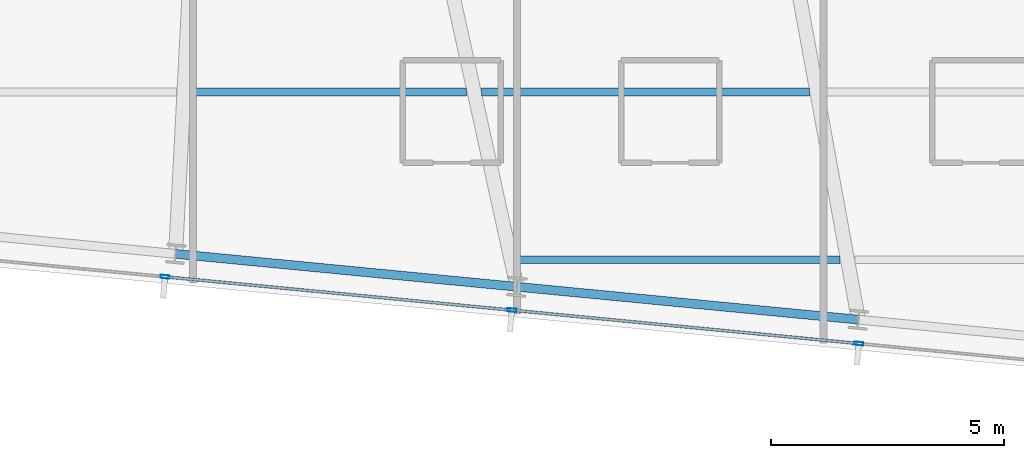
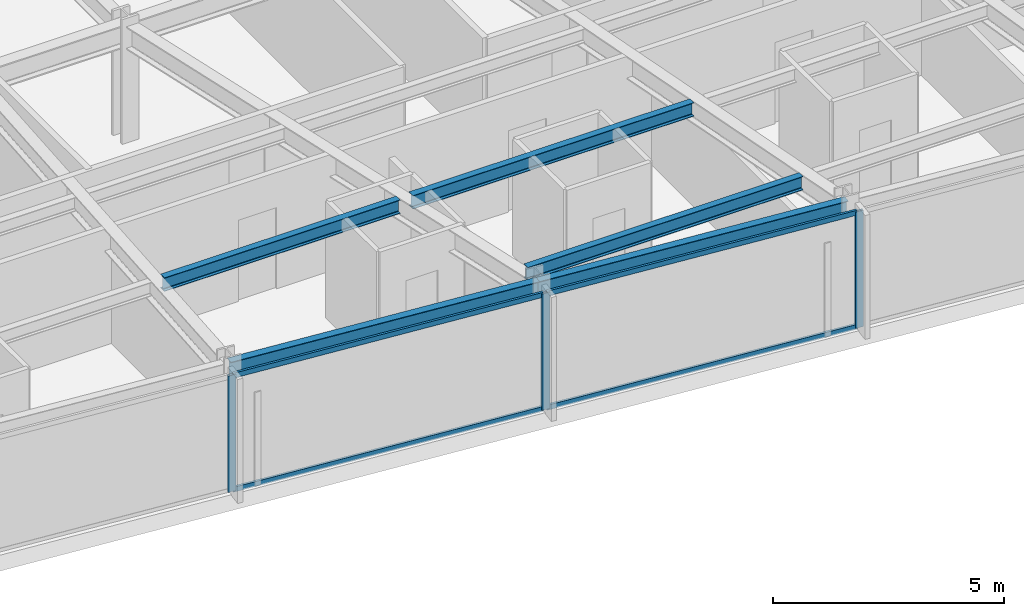
# One storey, part 6 of 37: 7 members, 5 beams, 1 element without a shape of its own.
"""IFC4 building model written with IfcOpenShell, lengths in metres."""

from ifc_helpers import new_model, si_unit, direction, frame, origin, origin_2d, place, context, subcontext, project, spatial, hollow_rectangle, i_section, extrude, material, material_profile, profile_set, type_object, element, aggregate, save


model = new_model("IFC4")

# Units and contexts
model_context = context("Model", 3, precision=1e-05, world=origin(), true_north=direction((0.0, 1.0)))
body_context = subcontext(model_context, "Body", "Model", "MODEL_VIEW")
ifc_project = project(units=[si_unit("LENGTHUNIT", "METRE"), si_unit("AREAUNIT", "SQUARE_METRE"), si_unit("VOLUMEUNIT", "CUBIC_METRE"), si_unit("PLANEANGLEUNIT", "RADIAN"), si_unit("MASSUNIT", "GRAM", prefix="KILO")], contexts=[model_context])

# Site, building, storey
site_placement = place(None, origin())
site = spatial("IfcSite", under=ifc_project, at=site_placement, CompositionType="ELEMENT")
building_placement = place(site_placement, origin())
building = spatial("IfcBuilding", under=site, at=building_placement, Name="Yelkora Congress Tower", CompositionType="ELEMENT")
storey_placement = place(building_placement, frame((0.0, 0.0, 149.0)))
storey = spatial("IfcBuildingStorey", under=building, at=storey_placement, Name="L40", CompositionType="ELEMENT", Elevation=149.0)

# Beams
ifc_material_1 = material(Name="Steel S355J2", Category="steel")
ifc_material_profile_1 = material_profile(ifc_material_1, i_section(OverallWidth=0.169921875, OverallDepth=0.360107421875, WebThickness=0.008056640625, FlangeThickness=0.0126953125, FilletRadius=0.01806640625, at=origin_2d()), Name="IPE 360")
ifc_profile_set_1 = profile_set([ifc_material_profile_1], Name="Steel S355J2")
beam_type_1 = type_object("IfcBeamType", Name="BM-JOIST-IPE360", PredefinedType="JOIST", material=ifc_profile_set_1)
beam_1_placement = place(storey_placement, frame((25.921630859375, 12.8212890625, 2.89990234375), z_axis=(1.0, 0.0, 0.0), x_axis=(0.0, 1.0, 0.0)))
element("IfcBeam", 1, at=beam_1_placement, inside=storey, type_object=beam_type_1, Name="L40 Composite Floor Joist 1", PredefinedType="JOIST", context=body_context, shape_type="SweptSolid", body=[
    extrude(i_section(OverallWidth=0.169921875, OverallDepth=0.360107421875, WebThickness=0.008056640625, FlangeThickness=0.0126953125, FilletRadius=0.01806640625, at=origin_2d()), origin(), (0.0, 0.0, 1.0), 6.896484375),
])
beam_2_placement = place(storey_placement, frame((18.905517578125, 16.421142578125, 2.89990234375), z_axis=(1.0, 0.0, 0.0), x_axis=(0.0, 1.0, 0.0)))
element("IfcBeam", 2, at=beam_2_placement, inside=storey, type_object=beam_type_1, Name="L40 Composite Floor Joist 7", PredefinedType="JOIST", context=body_context, shape_type="SweptSolid", body=[
    extrude(i_section(OverallWidth=0.169921875, OverallDepth=0.360107421875, WebThickness=0.008056640625, FlangeThickness=0.0126953125, FilletRadius=0.01806640625, at=origin_2d()), origin(), (0.0, 0.0, 1.0), 5.904541015625),
])
beam_3_placement = place(storey_placement, frame((25.130126953125, 16.421142578125, 2.89990234375), z_axis=(1.0, 0.0, 0.0), x_axis=(0.0, 1.0, 0.0)))
element("IfcBeam", 3, at=beam_3_placement, inside=storey, type_object=beam_type_1, Name="L40 Composite Floor Joist 8", PredefinedType="JOIST", context=body_context, shape_type="SweptSolid", body=[
    extrude(i_section(OverallWidth=0.169921875, OverallDepth=0.360107421875, WebThickness=0.008056640625, FlangeThickness=0.0126953125, FilletRadius=0.01806640625, at=origin_2d()), origin(), (0.0, 0.0, 1.0), 7.03125),
])
ifc_material_profile_2 = material_profile(ifc_material_1, i_section(OverallWidth=0.18994140625, OverallDepth=0.449951171875, WebThickness=0.009521484375, FlangeThickness=0.0146484375, FilletRadius=0.02099609375, at=origin_2d()), Name="IPE 450")
ifc_profile_set_2 = profile_set([ifc_material_profile_2], Name="Steel S355J2")
beam_type_2 = type_object("IfcBeamType", Name="BM-SPAN-IPE450", PredefinedType="SPANDREL", material=ifc_profile_set_2)
beam_4_placement = place(storey_placement, frame((18.56591796875, 12.947021484375, 2.85498046875), z_axis=(0.99539363353, -0.09587238564, 0.0), x_axis=(0.09587238564, 0.99539363353, 0.0)))
element("IfcBeam", 4, at=beam_4_placement, inside=storey, type_object=beam_type_2, Name="L40 Perimeter Beam 4", PredefinedType="SPANDREL", context=body_context, shape_type="SweptSolid", body=[
    extrude(i_section(OverallWidth=0.18994140625, OverallDepth=0.449951171875, WebThickness=0.009521484375, FlangeThickness=0.0146484375, FilletRadius=0.02099609375, at=origin_2d()), origin(), (0.0, 0.0, 1.0), 7.35693359375),
])
beam_5_placement = place(storey_placement, frame((25.888916015625, 12.24169921875, 2.85498046875), z_axis=(0.995397409467, -0.095833173935, 0.0), x_axis=(0.095833173935, 0.995397409467, 0.0)))
element("IfcBeam", 5, at=beam_5_placement, inside=storey, type_object=beam_type_2, Name="L40 Perimeter Beam 5", PredefinedType="SPANDREL", context=body_context, shape_type="SweptSolid", body=[
    extrude(i_section(OverallWidth=0.18994140625, OverallDepth=0.449951171875, WebThickness=0.009521484375, FlangeThickness=0.0146484375, FilletRadius=0.02099609375, at=origin_2d()), origin(), (0.0, 0.0, 1.0), 7.357421875),
])

# Curtain wall, members
ifc_material_2 = material(Name="Anodised aluminium and insulated glass", Category="aluminium")
curtain_wall_type = type_object("IfcCurtainWallType", Name="CW-SYS-B3", PredefinedType="NOTDEFINED", material=ifc_material_2)
curtain_wall_placement = place(storey_placement, origin())
curtain_wall = element("IfcCurtainWall", 6, at=curtain_wall_placement, inside=storey, type_object=curtain_wall_type, Name="L40 Unitised Curtain Wall 20", PredefinedType="NOTDEFINED")
ifc_material_3 = material(Name="Anodised aluminium 6063-T6", Category="aluminium")
ifc_material_profile_3 = material_profile(ifc_material_3, hollow_rectangle(XDim=0.070068359375, YDim=0.18994140625, WallThickness=0.00390625, at=origin_2d()), Name="ALU 70x190x4")
ifc_profile_set_3 = profile_set([ifc_material_profile_3], Name="Anodised aluminium 6063-T6")
member_type_1 = type_object("IfcMemberType", Name="MEM-ML-B3", PredefinedType="MULLION", material=ifc_profile_set_3)
member_1_placement = place(storey_placement, frame((33.2216796875, 11.0234375, 0.0), z_axis=(0.0, 0.0, 1.0), x_axis=(-0.095844680679, -0.995396301573, 0.0)))
member_1 = element("IfcMember", 7, at=member_1_placement, type_object=member_type_1, Name="CW-B3 mullion 4", PredefinedType="MULLION", context=body_context, shape_type="SweptSolid", body=[
    extrude(hollow_rectangle(XDim=0.070068359375, YDim=0.18994140625, WallThickness=0.00390625, at=origin_2d()), origin(), (0.0, 0.0, 1.0), 3.080078125),
])
member_2_placement = place(storey_placement, frame((25.78173828125, 11.73974609375, 0.0), z_axis=(0.0, 0.0, 1.0), x_axis=(-0.095844680679, -0.995396301573, 0.0)))
member_2 = element("IfcMember", 8, at=member_2_placement, type_object=member_type_1, Name="CW-B3 mullion 5", PredefinedType="MULLION", context=body_context, shape_type="SweptSolid", body=[
    extrude(hollow_rectangle(XDim=0.070068359375, YDim=0.18994140625, WallThickness=0.00390625, at=origin_2d()), origin(), (0.0, 0.0, 1.0), 3.080078125),
])
member_3_placement = place(storey_placement, frame((18.342041015625, 12.4560546875, 0.0), z_axis=(0.0, 0.0, 1.0), x_axis=(-0.095844680679, -0.995396301573, 0.0)))
member_3 = element("IfcMember", 9, at=member_3_placement, type_object=member_type_1, Name="CW-B3 mullion 6", PredefinedType="MULLION", context=body_context, shape_type="SweptSolid", body=[
    extrude(hollow_rectangle(XDim=0.070068359375, YDim=0.18994140625, WallThickness=0.00390625, at=origin_2d()), origin(), (0.0, 0.0, 1.0), 3.080078125),
])
ifc_material_profile_4 = material_profile(ifc_material_3, hollow_rectangle(XDim=0.06005859375, YDim=0.1298828125, WallThickness=0.00390625, at=origin_2d()), Name="ALU 60x130x4")
ifc_profile_set_4 = profile_set([ifc_material_profile_4], Name="Anodised aluminium 6063-T6")
member_type_2 = type_object("IfcMemberType", Name="MEM-TR-B3", PredefinedType="USERDEFINED", material=ifc_profile_set_4)
member_4_placement = place(storey_placement, frame((33.18701171875, 11.02685546875, 0.030029296875), z_axis=(-0.995398934959, 0.095817327669, 0.0), x_axis=(-0.095817327669, -0.995398934959, 0.0)))
member_4 = element("IfcMember", 10, at=member_4_placement, type_object=member_type_2, Name="CW-B3 transom 4.1", ObjectType="TRANSOM", PredefinedType="USERDEFINED", context=body_context, shape_type="SweptSolid", body=[
    extrude(hollow_rectangle(XDim=0.06005859375, YDim=0.1298828125, WallThickness=0.00390625, at=origin_2d()), origin(), (0.0, 0.0, 1.0), 7.404541015625),
])
member_5_placement = place(storey_placement, frame((33.18701171875, 11.02685546875, 3.050048828125), z_axis=(-0.995398934959, 0.095817327669, 0.0), x_axis=(-0.095817327669, -0.995398934959, 0.0)))
member_5 = element("IfcMember", 11, at=member_5_placement, type_object=member_type_2, Name="CW-B3 transom 4.2", ObjectType="TRANSOM", PredefinedType="USERDEFINED", context=body_context, shape_type="SweptSolid", body=[
    extrude(hollow_rectangle(XDim=0.06005859375, YDim=0.1298828125, WallThickness=0.00390625, at=origin_2d()), origin(), (0.0, 0.0, 1.0), 7.404541015625),
])
member_6_placement = place(storey_placement, frame((25.7470703125, 11.7431640625, 0.030029296875), z_axis=(-0.995395789658, 0.095849997036, 0.0), x_axis=(-0.095849997036, -0.995395789658, 0.0)))
member_6 = element("IfcMember", 12, at=member_6_placement, type_object=member_type_2, Name="CW-B3 transom 5.1", ObjectType="TRANSOM", PredefinedType="USERDEFINED", context=body_context, shape_type="SweptSolid", body=[
    extrude(hollow_rectangle(XDim=0.06005859375, YDim=0.1298828125, WallThickness=0.00390625, at=origin_2d()), origin(), (0.0, 0.0, 1.0), 7.404541015625),
])
member_7_placement = place(storey_placement, frame((25.7470703125, 11.7431640625, 3.050048828125), z_axis=(-0.995395789658, 0.095849997036, 0.0), x_axis=(-0.095849997036, -0.995395789658, 0.0)))
member_7 = element("IfcMember", 13, at=member_7_placement, type_object=member_type_2, Name="CW-B3 transom 5.2", ObjectType="TRANSOM", PredefinedType="USERDEFINED", context=body_context, shape_type="SweptSolid", body=[
    extrude(hollow_rectangle(XDim=0.06005859375, YDim=0.1298828125, WallThickness=0.00390625, at=origin_2d()), origin(), (0.0, 0.0, 1.0), 7.404541015625),
])
aggregate(curtain_wall, [member_1, member_2, member_3, member_4, member_5, member_6, member_7])

save(model, "model.ifc")
